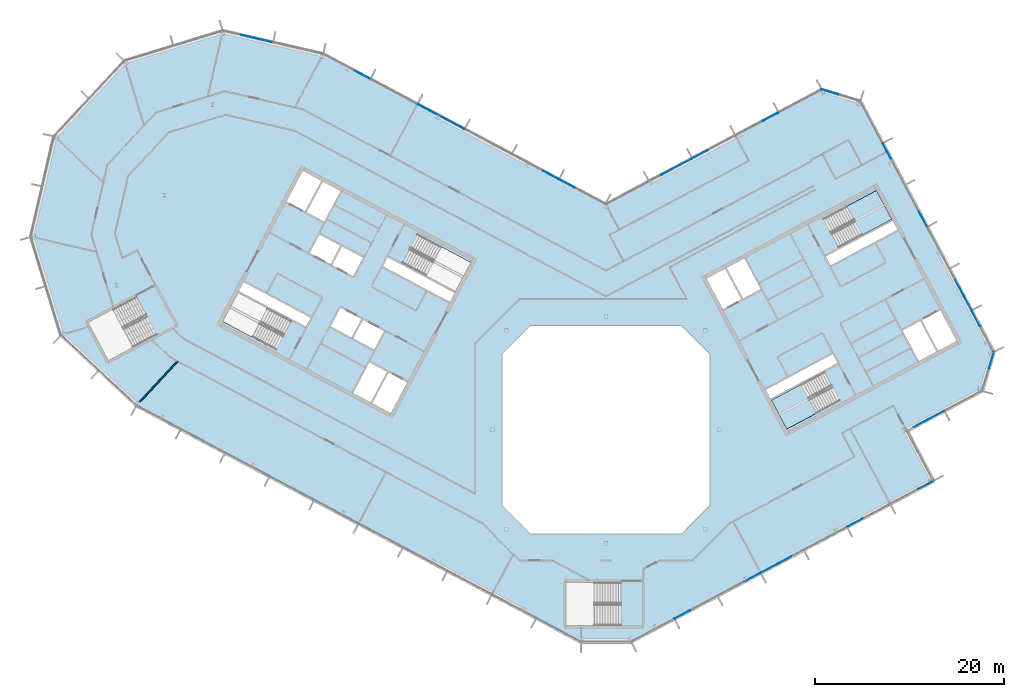
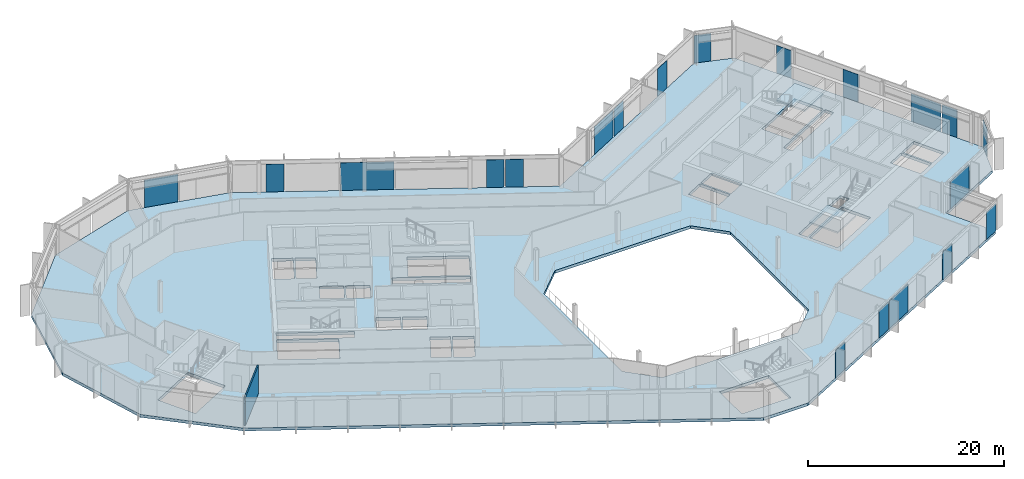
# One storey, part 12 of 26: 20 plates, 3 slabs, 1 wall, 10 elements without a shape of their own.
"""IFC4 building model written with IfcOpenShell, lengths in metres."""

from ifc_helpers import new_model, si_unit, direction, frame, frame_2d, origin, origin_2d, place, context, subcontext, project, spatial, polyline, rectangle, outline, extrude, material, layer, layer_set, type_object, element, aggregate, save


model = new_model("IFC4")

# Units and contexts
model_context = context("Model", 3, precision=1e-05, world=origin(), true_north=direction((0.0, 1.0)))
body_context = subcontext(model_context, "Body", "Model", "MODEL_VIEW")
ifc_project = project(units=[si_unit("LENGTHUNIT", "METRE"), si_unit("AREAUNIT", "SQUARE_METRE"), si_unit("VOLUMEUNIT", "CUBIC_METRE"), si_unit("PLANEANGLEUNIT", "RADIAN"), si_unit("MASSUNIT", "GRAM", prefix="KILO")], contexts=[model_context])

# Site, building, storey
site_placement = place(None, origin())
site = spatial("IfcSite", under=ifc_project, at=site_placement, CompositionType="ELEMENT")
building_placement = place(site_placement, origin())
building = spatial("IfcBuilding", under=site, at=building_placement, Name="Cormorant Relay Tower", CompositionType="ELEMENT")
storey_placement = place(building_placement, frame((0.0, 0.0, 293.10009765625)))
storey = spatial("IfcBuildingStorey", under=building, at=storey_placement, Name="L66", CompositionType="ELEMENT", Elevation=293.10009765625)

# Curtain wall, plates
ifc_material_1 = material(Name="Aluminium 6063-T6 anodised bronze", Category="aluminium")
ifc_layer_1 = layer(ifc_material_1, 0.199951171875)
ifc_layer_set_1 = layer_set([ifc_layer_1], Name="CW1 unitised bronze curtain wall with vertical fins")
curtain_wall_type = type_object("IfcCurtainWallType", Name="CW1 unitised bronze curtain wall with vertical fins", PredefinedType="NOTDEFINED", material=ifc_layer_set_1)
curtain_wall_1_placement = place(storey_placement, origin())
curtain_wall_1 = element("IfcCurtainWall", 1, at=curtain_wall_1_placement, inside=storey, type_object=curtain_wall_type, Name="CW1 curtain wall 2", PredefinedType="NOTDEFINED")
ifc_material_2 = material(Name="Tinted laminated glass", Category="glass")
ifc_layer_2 = layer(ifc_material_2, 0.0400390625)
ifc_layer_set_2 = layer_set([ifc_layer_2], Name="CW1 tinted vision panel 1800 module")
plate_type_1 = type_object("IfcPlateType", Name="CW1 tinted vision panel 1800 module", PredefinedType="CURTAIN_PANEL", material=ifc_layer_set_2)
plate_1_placement = place(storey_placement, frame((8.080810546875, -19.510009765625, 0.0), z_axis=(0.0, 0.0, 1.0), x_axis=(0.882947592859, 0.469471562786, 0.0)))
plate_1 = element("IfcPlate", 2, at=plate_1_placement, type_object=plate_type_1, Name="CW1 panel V01", PredefinedType="CURTAIN_PANEL", context=body_context, shape_type="SweptSolid", body=[
    extrude(rectangle(XDim=1.800048828125, YDim=0.0400390625, at=origin_2d()), origin(), (0.0, 0.0, 1.0), 3.449951171875),
])
plate_2_placement = place(storey_placement, frame((15.48291015625, -15.57421875, 0.0), z_axis=(0.0, 0.0, 1.0), x_axis=(0.882947592859, 0.469471562786, 0.0)))
plate_2 = element("IfcPlate", 3, at=plate_2_placement, type_object=plate_type_1, Name="CW1 panel V03", PredefinedType="CURTAIN_PANEL", context=body_context, shape_type="SweptSolid", body=[
    extrude(rectangle(XDim=1.800048828125, YDim=0.0400390625, at=origin_2d()), origin(), (0.0, 0.0, 1.0), 3.449951171875),
])
plate_3_placement = place(storey_placement, frame((26.328125, -9.8076171875, 0.0), z_axis=(0.0, 0.0, 1.0), x_axis=(0.882947592859, 0.469471562786, 0.0)))
plate_3 = element("IfcPlate", 4, at=plate_3_placement, type_object=plate_type_1, Name="CW1 panel V06", PredefinedType="CURTAIN_PANEL", context=body_context, shape_type="SweptSolid", body=[
    extrude(rectangle(XDim=1.800048828125, YDim=0.0400390625, at=origin_2d()), origin(), (0.0, 0.0, 1.0), 3.449951171875),
])
plate_4_placement = place(storey_placement, frame((33.796142578125, -5.8369140625, 0.0), z_axis=(0.0, 0.0, 1.0), x_axis=(0.882947592859, 0.469471562786, 0.0)))
plate_4 = element("IfcPlate", 5, at=plate_4_placement, type_object=plate_type_1, Name="CW1 panel V08", PredefinedType="CURTAIN_PANEL", context=body_context, shape_type="SweptSolid", body=[
    extrude(rectangle(XDim=1.800048828125, YDim=0.0400390625, at=origin_2d()), origin(), (0.0, 0.0, 1.0), 3.449951171875),
])

# Curtain wall, plate
curtain_wall_2_placement = place(storey_placement, origin())
curtain_wall_2 = element("IfcCurtainWall", 6, at=curtain_wall_2_placement, inside=storey, type_object=curtain_wall_type, Name="CW1 curtain wall 5", PredefinedType="NOTDEFINED")
plate_5_placement = place(storey_placement, frame((40.70751953125, 7.31689453125, 0.0), z_axis=(0.0, 0.0, 1.0), x_axis=(0.292371704723, 0.956304755963, 0.0)))
plate_5 = element("IfcPlate", 7, at=plate_5_placement, type_object=plate_type_1, Name="CW1 panel V01", PredefinedType="CURTAIN_PANEL", context=body_context, shape_type="SweptSolid", body=[
    extrude(rectangle(XDim=1.800048828125, YDim=0.0400390625, at=origin_2d()), origin(), (0.0, 0.0, 1.0), 3.449951171875),
])
aggregate(curtain_wall_2, [plate_5])

# Curtain wall, plates
curtain_wall_3_placement = place(storey_placement, origin())
curtain_wall_3 = element("IfcCurtainWall", 8, at=curtain_wall_3_placement, inside=storey, type_object=curtain_wall_type, Name="CW1 curtain wall 6", PredefinedType="NOTDEFINED")
plate_6_placement = place(storey_placement, frame((39.07958984375, 11.74658203125, 0.0), z_axis=(0.0, 0.0, 1.0), x_axis=(-0.469471562786, 0.882947592859, 0.0)))
plate_6 = element("IfcPlate", 9, at=plate_6_placement, type_object=plate_type_1, Name="CW1 panel V01", PredefinedType="CURTAIN_PANEL", context=body_context, shape_type="SweptSolid", body=[
    extrude(rectangle(XDim=1.800048828125, YDim=0.0400390625, at=origin_2d()), origin(), (0.0, 0.0, 1.0), 3.449951171875),
])
plate_7_placement = place(storey_placement, frame((33.469482421875, 22.298095703125, 0.0), z_axis=(0.0, 0.0, 1.0), x_axis=(-0.469471562786, 0.882947592859, 0.0)))
plate_7 = element("IfcPlate", 10, at=plate_7_placement, type_object=plate_type_1, Name="CW1 panel V04", PredefinedType="CURTAIN_PANEL", context=body_context, shape_type="SweptSolid", body=[
    extrude(rectangle(XDim=1.800048828125, YDim=0.0400390625, at=origin_2d()), origin(), (0.0, 0.0, 1.0), 3.449951171875),
])
plate_8_placement = place(storey_placement, frame((29.690185546875, 29.40576171875, 0.0), z_axis=(0.0, 0.0, 1.0), x_axis=(-0.469471562786, 0.882947592859, 0.0)))
plate_8 = element("IfcPlate", 11, at=plate_8_placement, type_object=plate_type_1, Name="CW1 panel V06", PredefinedType="CURTAIN_PANEL", context=body_context, shape_type="SweptSolid", body=[
    extrude(rectangle(XDim=1.800048828125, YDim=0.0400390625, at=origin_2d()), origin(), (0.0, 0.0, 1.0), 3.449951171875),
])

# Curtain wall, plate
curtain_wall_4_placement = place(storey_placement, origin())
curtain_wall_4 = element("IfcCurtainWall", 12, at=curtain_wall_4_placement, inside=storey, type_object=curtain_wall_type, Name="CW1 curtain wall 7", PredefinedType="NOTDEFINED")
plate_9_placement = place(storey_placement, frame((23.6767578125, 35.668212890625, 0.0), z_axis=(0.0, 0.0, 1.0), x_axis=(-0.956304755963, 0.292371704723, 0.0)))
plate_9 = element("IfcPlate", 13, at=plate_9_placement, type_object=plate_type_1, Name="CW1 panel V01", PredefinedType="CURTAIN_PANEL", context=body_context, shape_type="SweptSolid", body=[
    extrude(rectangle(XDim=1.800048828125, YDim=0.0400390625, at=origin_2d()), origin(), (0.0, 0.0, 1.0), 3.449951171875),
])
aggregate(curtain_wall_4, [plate_9])

# Curtain wall, plates
curtain_wall_5_placement = place(storey_placement, origin())
curtain_wall_5 = element("IfcCurtainWall", 14, at=curtain_wall_5_placement, inside=storey, type_object=curtain_wall_type, Name="CW1 curtain wall 8", PredefinedType="NOTDEFINED")
plate_10_placement = place(storey_placement, frame((17.3779296875, 33.046630859375, 0.0), z_axis=(0.0, 0.0, 1.0), x_axis=(-0.882947592859, -0.469471562786, 0.0)))
plate_10 = element("IfcPlate", 15, at=plate_10_placement, type_object=plate_type_1, Name="CW1 panel V01", PredefinedType="CURTAIN_PANEL", context=body_context, shape_type="SweptSolid", body=[
    extrude(rectangle(XDim=1.800048828125, YDim=0.0400390625, at=origin_2d()), origin(), (0.0, 0.0, 1.0), 3.449951171875),
])
plate_11_placement = place(storey_placement, frame((9.9755859375, 29.110595703125, 0.0), z_axis=(0.0, 0.0, 1.0), x_axis=(-0.882947592859, -0.469471562786, 0.0)))
plate_11 = element("IfcPlate", 16, at=plate_11_placement, type_object=plate_type_1, Name="CW1 panel V03", PredefinedType="CURTAIN_PANEL", context=body_context, shape_type="SweptSolid", body=[
    extrude(rectangle(XDim=1.800048828125, YDim=0.0400390625, at=origin_2d()), origin(), (0.0, 0.0, 1.0), 3.449951171875),
])

curtain_wall_6_placement = place(storey_placement, origin())
curtain_wall_6 = element("IfcCurtainWall", 17, at=curtain_wall_6_placement, inside=storey, type_object=curtain_wall_type, Name="CW1 curtain wall 9", PredefinedType="NOTDEFINED")
plate_12_placement = place(storey_placement, frame((-4.108642578125, 25.9912109375, 0.0), z_axis=(0.0, 0.0, 1.0), x_axis=(-0.882947592859, 0.469471562786, 0.0)))
plate_12 = element("IfcPlate", 18, at=plate_12_placement, type_object=plate_type_1, Name="CW1 panel V01", PredefinedType="CURTAIN_PANEL", context=body_context, shape_type="SweptSolid", body=[
    extrude(rectangle(XDim=1.800048828125, YDim=0.0400390625, at=origin_2d()), origin(), (0.0, 0.0, 1.0), 3.449951171875),
])
plate_13_placement = place(storey_placement, frame((-5.830322265625, 26.90673828125, 0.0), z_axis=(0.0, 0.0, 1.0), x_axis=(-0.882947592859, 0.469471562786, 0.0)))
plate_13 = element("IfcPlate", 19, at=plate_13_placement, type_object=plate_type_1, Name="CW1 panel V02", PredefinedType="CURTAIN_PANEL", context=body_context, shape_type="SweptSolid", body=[
    extrude(rectangle(XDim=1.800048828125, YDim=0.0400390625, at=origin_2d()), origin(), (0.0, 0.0, 1.0), 3.449951171875),
])
plate_14_placement = place(storey_placement, frame((-25.746337890625, 37.49609375, 0.0), z_axis=(0.0, 0.0, 1.0), x_axis=(-0.882947592859, 0.469471562786, 0.0)))
plate_14 = element("IfcPlate", 20, at=plate_14_placement, type_object=plate_type_1, Name="CW1 panel V06", PredefinedType="CURTAIN_PANEL", context=body_context, shape_type="SweptSolid", body=[
    extrude(rectangle(XDim=1.800048828125, YDim=0.0400390625, at=origin_2d()), origin(), (0.0, 0.0, 1.0), 3.449951171875),
])

# Plate
ifc_material_3 = material(Name="Tinted laminated glass", Category="glass")
ifc_layer_3 = layer(ifc_material_3, 0.0400390625)
ifc_layer_set_3 = layer_set([ifc_layer_3], Name="CW1 tinted vision panel 3600 module")
plate_type_2 = type_object("IfcPlateType", Name="CW1 tinted vision panel 3600 module", PredefinedType="CURTAIN_PANEL", material=ifc_layer_set_3)
plate_15_placement = place(storey_placement, frame((17.999267578125, -14.236328125, 0.0), z_axis=(0.0, 0.0, 1.0), x_axis=(0.882947592859, 0.469471562786, 0.0)))
plate_15 = element("IfcPlate", 21, at=plate_15_placement, type_object=plate_type_2, Name="CW1 panel V04", PredefinedType="CURTAIN_PANEL", context=body_context, shape_type="SweptSolid", body=[
    extrude(rectangle(XDim=3.60009765625, YDim=0.0400390625, at=origin_2d()), origin(), (0.0, 0.0, 1.0), 3.449951171875),
])

aggregate(curtain_wall_1, [plate_1, plate_2, plate_15, plate_3, plate_4])

# Curtain wall, plate
curtain_wall_7_placement = place(storey_placement, origin())
curtain_wall_7 = element("IfcCurtainWall", 22, at=curtain_wall_7_placement, inside=storey, type_object=curtain_wall_type, Name="CW1 curtain wall 4", PredefinedType="NOTDEFINED")
plate_16_placement = place(storey_placement, frame((34.091796875, 1.11572265625, 0.0), z_axis=(0.0, 0.0, 1.0), x_axis=(0.882947592859, 0.469471562786, 0.0)))
plate_16 = element("IfcPlate", 23, at=plate_16_placement, type_object=plate_type_2, Name="CW1 panel V01", PredefinedType="CURTAIN_PANEL", context=body_context, shape_type="SweptSolid", body=[
    extrude(rectangle(XDim=3.60009765625, YDim=0.0400390625, at=origin_2d()), origin(), (0.0, 0.0, 1.0), 3.449951171875),
])
aggregate(curtain_wall_7, [plate_16])

# Plate
plate_17_placement = place(storey_placement, frame((37.74169921875, 14.26318359375, 0.0), z_axis=(0.0, 0.0, 1.0), x_axis=(-0.469471562786, 0.882947592859, 0.0)))
plate_17 = element("IfcPlate", 24, at=plate_17_placement, type_object=plate_type_2, Name="CW1 panel V02", PredefinedType="CURTAIN_PANEL", context=body_context, shape_type="SweptSolid", body=[
    extrude(rectangle(XDim=3.60009765625, YDim=0.0400390625, at=origin_2d()), origin(), (0.0, 0.0, 1.0), 3.449951171875),
])

aggregate(curtain_wall_3, [plate_6, plate_17, plate_7, plate_8])

plate_18_placement = place(storey_placement, frame((7.458984375, 27.772705078125, 0.0), z_axis=(0.0, 0.0, 1.0), x_axis=(-0.882947592859, -0.469471562786, 0.0)))
plate_18 = element("IfcPlate", 25, at=plate_18_placement, type_object=plate_type_2, Name="CW1 panel V04", PredefinedType="CURTAIN_PANEL", context=body_context, shape_type="SweptSolid", body=[
    extrude(rectangle(XDim=3.60009765625, YDim=0.0400390625, at=origin_2d()), origin(), (0.0, 0.0, 1.0), 3.449951171875),
])

aggregate(curtain_wall_5, [plate_10, plate_11, plate_18])

# Curtain wall, plate
curtain_wall_8_placement = place(storey_placement, origin())
curtain_wall_8 = element("IfcCurtainWall", 26, at=curtain_wall_8_placement, inside=storey, type_object=curtain_wall_type, Name="CW1 curtain wall 10", PredefinedType="NOTDEFINED")
plate_19_placement = place(storey_placement, frame((-36.9921875, 41.33203125, 0.0), z_axis=(0.0, 0.0, 1.0), x_axis=(-0.974370064785, 0.224951054344, 0.0)))
plate_19 = element("IfcPlate", 27, at=plate_19_placement, type_object=plate_type_2, Name="CW1 panel V02", PredefinedType="CURTAIN_PANEL", context=body_context, shape_type="SweptSolid", body=[
    extrude(rectangle(XDim=3.60009765625, YDim=0.0400390625, at=origin_2d()), origin(), (0.0, 0.0, 1.0), 3.449951171875),
])
aggregate(curtain_wall_8, [plate_19])

# Plate
ifc_material_4 = material(Name="Tinted laminated glass", Category="glass")
ifc_layer_4 = layer(ifc_material_4, 0.0400390625)
ifc_layer_set_4 = layer_set([ifc_layer_4], Name="CW1 tinted vision panel 5400 module")
plate_type_3 = type_object("IfcPlateType", Name="CW1 tinted vision panel 5400 module", PredefinedType="CURTAIN_PANEL", material=ifc_layer_set_4)
plate_20_placement = place(storey_placement, frame((-17.4169921875, 33.0673828125, 0.0), z_axis=(0.0, 0.0, 1.0), x_axis=(-0.882947592859, 0.469471562786, 0.0)))
plate_20 = element("IfcPlate", 28, at=plate_20_placement, type_object=plate_type_3, Name="CW1 panel V04", PredefinedType="CURTAIN_PANEL", context=body_context, shape_type="SweptSolid", body=[
    extrude(rectangle(XDim=5.489013671875, YDim=0.0400390625, at=origin_2d()), origin(), (0.0, 0.0, 1.0), 3.449951171875),
])

aggregate(curtain_wall_6, [plate_12, plate_13, plate_20, plate_14])

# Stair, slab
ifc_material_5 = material(Name="Concrete 40 MPa", Category="concrete")
stair_type = type_object("IfcStairType", Name="Exit stair 1500", PredefinedType="HALF_TURN_STAIR", material=ifc_material_5)
stair_1_placement = place(storey_placement, origin())
stair_1 = element("IfcStair", 29, at=stair_1_placement, inside=storey, type_object=stair_type, Name="L66 Stair", PredefinedType="HALF_TURN_STAIR")
ifc_material_6 = material(Name="Concrete 40 MPa", Category="concrete")
ifc_layer_5 = layer(ifc_material_6, 0.199951171875)
ifc_layer_set_5 = layer_set([ifc_layer_5], Name="Exit stair landing 200")
slab_type_1 = type_object("IfcSlabType", Name="Exit stair landing 200", PredefinedType="LANDING", material=ifc_layer_set_5)
slab_1_placement = place(storey_placement, frame((0.0, 0.0, 1.75)))
slab_1 = element("IfcSlab", 30, at=slab_1_placement, type_object=slab_type_1, Name="B1 landing 1", PredefinedType="LANDING", context=body_context, shape_type="SweptSolid", body=[
    extrude(outline(polyline([(20.614990234375, 4.78857421875), (17.48046875, 3.1220703125), (19.10009765625, 0.075927734375), (22.234619140625, 1.742431640625), (20.614990234375, 4.78857421875)])), origin(), (0.0, 0.0, 1.0), 0.199951171875),
])
aggregate(stair_1, [slab_1])

stair_2_placement = place(storey_placement, origin())
stair_2 = element("IfcStair", 31, at=stair_2_placement, inside=storey, type_object=stair_type, Name="L66 Stair", PredefinedType="HALF_TURN_STAIR")
slab_2_placement = place(storey_placement, frame((0.0, 0.0, 1.75)))
slab_2 = element("IfcSlab", 32, at=slab_2_placement, type_object=slab_type_1, Name="B2 landing 1", PredefinedType="LANDING", context=body_context, shape_type="SweptSolid", body=[
    extrude(outline(polyline([(27.064208984375, 20.562744140625), (30.19873046875, 22.2294921875), (28.5791015625, 25.275634765625), (25.444580078125, 23.60888671875), (27.064208984375, 20.562744140625)])), origin(), (0.0, 0.0, 1.0), 0.199951171875),
])
aggregate(stair_2, [slab_2])

# Slab
ifc_material_7 = material(Name="Concrete 40 MPa", Category="concrete")
ifc_layer_6 = layer(ifc_material_7, 0.360107421875)
ifc_layer_set_6 = layer_set([ifc_layer_6], Name="Flat plate 360")
slab_type_2 = type_object("IfcSlabType", Name="Flat plate 360", PredefinedType="FLOOR", material=ifc_layer_set_6)
slab_3_placement = place(storey_placement, frame((0.0, 0.0, -0.360107421875)))
element("IfcSlab", 33, at=slab_3_placement, inside=storey, type_object=slab_type_2, Name="Floor slab L66", PredefinedType="FLOOR", context=body_context, shape_type="SweptSolid", body=[
    extrude(outline(polyline([(-60.7197265625, 20.393310546875), (-58.2744140625, 30.985107421875), (-50.86083984375, 38.935302734375), (-40.465576171875, 42.11328125), (-29.873779296875, 39.668212890625), (0.0, 23.783935546875), (22.810302734375, 35.912353515625), (26.867431640625, 34.671875), (40.95166015625, 8.18359375), (39.711181640625, 4.126220703125), (31.7646484375, -0.09912109375), (34.581298828125, -5.396728515625), (2.648681640625, -22.37548828125), (-2.648681640625, -22.37548828125), (-49.591552734375, 2.584228515625), (-57.541748046875, 9.997802734375), (-60.7197265625, 20.393310546875)]), holes=[polyline([(11.0, -8.0), (11.0, 8.0), (8.0, 11.0), (-8.0, 11.0), (-11.0, 8.0), (-11.0, -8.0), (-8.0, -11.0), (8.0, -11.0), (11.0, -8.0)]), polyline([(-22.95458984375, 6.03271484375), (-24.668212890625, 2.81005859375), (-22.725830078125, 1.777099609375), (-21.01220703125, 5.0), (-23.04296875, 6.07958984375), (-22.95458984375, 6.03271484375)]), polyline([(-24.985595703125, 7.112548828125), (-26.69921875, 3.889892578125), (-24.844970703125, 2.90380859375), (-23.13134765625, 6.126708984375), (-23.04296875, 6.07958984375), (-24.985595703125, 7.112548828125)]), polyline([(-24.481201171875, 8.48681640625), (-23.448486328125, 10.42919921875), (-25.656005859375, 11.602783203125), (-26.688720703125, 9.660400390625), (-24.481201171875, 8.48681640625)]), polyline([(-49.57861328125, 14.0537109375), (-54.69970703125, 11.330810546875), (-52.563720703125, 7.3134765625), (-47.442626953125, 10.036376953125), (-49.57861328125, 14.0537109375)]), polyline([(-25.83251953125, 11.69677734375), (-28.039794921875, 12.870361328125), (-29.07275390625, 10.927978515625), (-26.865234375, 9.75439453125), (-25.83251953125, 11.69677734375)]), polyline([(-38.847900390625, 14.483154296875), (-40.46728515625, 11.43701171875), (-34.860595703125, 8.455810546875), (-33.240966796875, 11.502197265625), (-38.847900390625, 14.483154296875)]), polyline([(-38.260986328125, 15.5869140625), (-38.75390625, 14.659912109375), (-31.690185546875, 10.904052734375), (-31.197265625, 11.8310546875), (-38.260986328125, 15.5869140625)]), polyline([(-26.702880859375, 16.23681640625), (-25.670166015625, 18.17919921875), (-27.87744140625, 19.35302734375), (-28.910400390625, 17.410400390625), (-26.702880859375, 16.23681640625)]), polyline([(-31.294189453125, 18.677978515625), (-29.0869140625, 17.50439453125), (-28.053955078125, 19.447021484375), (-30.261474609375, 20.62060546875), (-31.294189453125, 18.677978515625)]), polyline([(-31.611572265625, 22.980712890625), (-29.75732421875, 21.99462890625), (-28.043701171875, 25.217529296875), (-29.89794921875, 26.203369140625), (-31.611572265625, 22.980712890625)]), polyline([(-32.01708984375, 27.330078125), (-33.73046875, 24.107421875), (-31.7880859375, 23.074462890625), (-30.074462890625, 26.29736328125), (-32.01708984375, 27.330078125)]), polyline([(-4.199951171875, -16.125), (-4.199951171875, -20.675048828125), (1.60009765625, -20.675048828125), (1.60009765625, -16.125), (-4.199951171875, -16.125)]), polyline([(17.48046875, 3.1220703125), (19.10009765625, 0.07568359375), (24.706787109375, 3.056884765625), (23.087158203125, 6.10302734375), (17.48046875, 3.1220703125)]), polyline([(17.386474609375, 3.298583984375), (24.4501953125, 7.054443359375), (23.957275390625, 7.9814453125), (16.8935546875, 4.2255859375), (17.386474609375, 3.298583984375)]), polyline([(33.197021484375, 11.478515625), (31.3427734375, 10.49267578125), (33.056396484375, 7.27001953125), (34.910400390625, 8.255859375), (33.197021484375, 11.478515625)]), polyline([(33.37353515625, 11.572509765625), (35.087158203125, 8.349609375), (37.029541015625, 9.382568359375), (35.31591796875, 12.605224609375), (33.37353515625, 11.572509765625)]), polyline([(14.3056640625, 13.779052734375), (12.592041015625, 17.001708984375), (10.649658203125, 15.968994140625), (12.36328125, 12.74609375), (14.39404296875, 13.825927734375), (14.3056640625, 13.779052734375)]), polyline([(16.33642578125, 14.85888671875), (14.622802734375, 18.08154296875), (12.768798828125, 17.095703125), (14.482421875, 13.872802734375), (14.39404296875, 13.825927734375), (16.33642578125, 14.85888671875)]), polyline([(-16.481689453125, 13.520263671875), (-15.989013671875, 14.447509765625), (-23.052490234375, 18.203125), (-23.54541015625, 17.276123046875), (-16.481689453125, 13.520263671875)]), polyline([(-15.89501953125, 14.6240234375), (-14.275390625, 17.670166015625), (-19.882080078125, 20.6513671875), (-21.501708984375, 17.605224609375), (-15.89501953125, 14.6240234375)]), polyline([(30.78564453125, 21.125732421875), (30.29248046875, 22.052978515625), (23.22900390625, 18.297119140625), (23.721923828125, 17.3701171875), (30.78564453125, 21.125732421875)]), polyline([(24.592041015625, 19.248291015625), (30.19873046875, 22.2294921875), (28.5791015625, 25.275634765625), (22.972412109375, 22.29443359375), (24.592041015625, 19.248291015625)])]), origin(), (0.0, 0.0, 1.0), 0.360107421875),
])

# Wall
ifc_material_8 = material(Name="Gypsum board partition")
ifc_layer_7 = layer(ifc_material_8, 0.14990234375)
ifc_layer_set_7 = layer_set([ifc_layer_7], Name="Tenant partition 150")
wall_type = type_object("IfcWallType", Name="Tenant partition 150", PredefinedType="PARTITIONING", material=ifc_layer_set_7)
wall_placement = place(storey_placement, frame((-45.2490234375, 7.240966796875, 0.0), z_axis=(0.0, 0.0, 1.0), x_axis=(-0.681993289905, -0.731358429584, 0.0)))
element("IfcWall", 34, at=wall_placement, inside=storey, type_object=wall_type, Name="wall/L66/part/012", PredefinedType="PARTITIONING", context=body_context, shape_type="SweptSolid", body=[
    extrude(rectangle(XDim=5.89013671875, YDim=0.14990234375, at=frame_2d((2.945068359375, 0.0))), origin(), (0.0, 0.0, 1.0), 3.539794921875),
])

save(model, "model.ifc")
